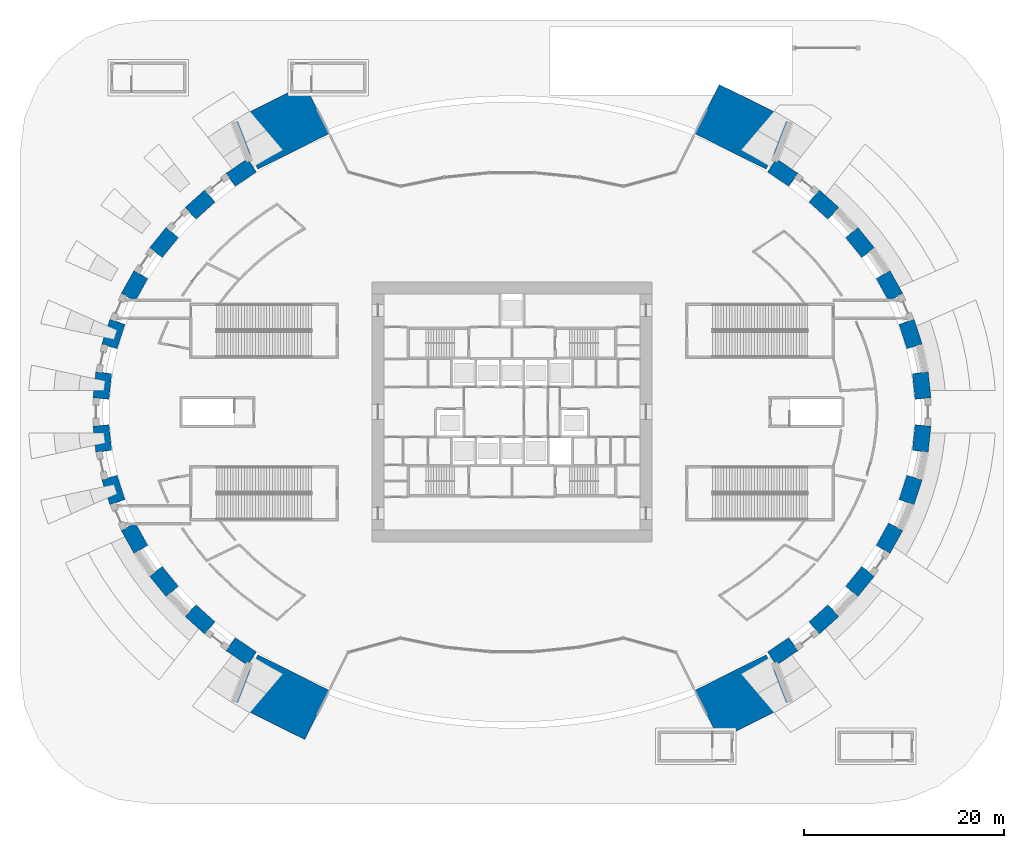
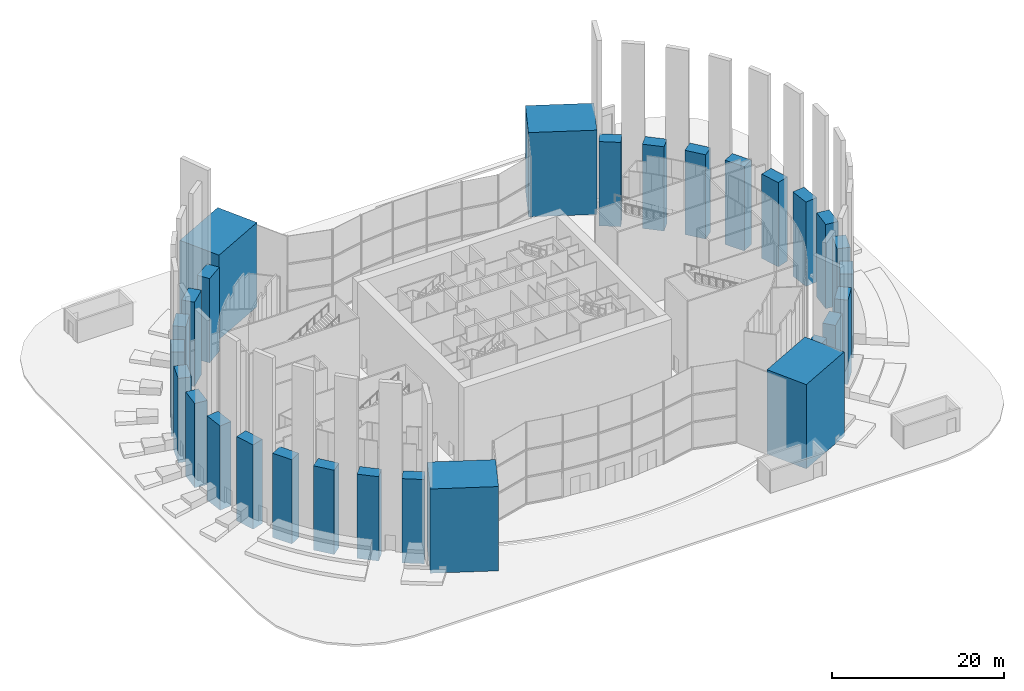
# One storey, part 1 of 25: 28 columns.
"""IFC4 building model written with IfcOpenShell, lengths in metres."""

from ifc_helpers import new_model, si_unit, direction, frame, origin, origin_2d, place, context, subcontext, project, spatial, rectangle, extrude, source, transform, mapped, material, material_profile, profile_set, type_object, element, save


model = new_model("IFC4")

# Units and contexts
model_context = context("Model", 3, precision=1e-05, world=origin(), true_north=direction((0.0, 1.0)))
body_context = subcontext(model_context, "Body", "Model", "MODEL_VIEW")
ifc_project = project(units=[si_unit("LENGTHUNIT", "METRE"), si_unit("AREAUNIT", "SQUARE_METRE"), si_unit("VOLUMEUNIT", "CUBIC_METRE"), si_unit("PLANEANGLEUNIT", "RADIAN"), si_unit("MASSUNIT", "GRAM", prefix="KILO")], contexts=[model_context])

# Site, building, storey
site_placement = place(None, origin())
site = spatial("IfcSite", under=ifc_project, at=site_placement, CompositionType="ELEMENT")
building_placement = place(site_placement, origin())
building = spatial("IfcBuilding", under=site, at=building_placement, Name="Embergate Tower", CompositionType="ELEMENT")
storey_placement = place(building_placement, origin())
storey = spatial("IfcBuildingStorey", under=building, at=storey_placement, Name="L00", CompositionType="ELEMENT", Elevation=0.0)

# Columns
ifc_material = material(Name="Concrete C70", Category="concrete")
ifc_material_profile_1 = material_profile(ifc_material, rectangle(XDim=1.60009765625, YDim=2.60009765625, at=origin_2d()), Name="RC 1600x2600")
ifc_profile_set_1 = profile_set([ifc_material_profile_1], Name="Concrete C70")
column_type_1 = type_object("IfcColumnType", Name="Ring column RC 1600x2600 C70", PredefinedType="COLUMN", material=ifc_profile_set_1)
shared_shape_1 = source(origin(), body_context, "Body", "SweptSolid", [
    extrude(rectangle(XDim=1.60009765625, YDim=2.60009765625, at=origin_2d()), origin(), (0.0, 0.0, 1.0), 12.0),
])
for number, where, z_axis, x_axis, name in (
    (1, (40.958984375, 2.636962890625, -1.5), (0.0, 0.0, 1.0), (0.99428589498, 0.106749983816, 0.0), "COL-L00-00"),
    (2, (39.85009765625, 7.7880859375, -1.5), (0.0, 0.0, 1.0), (0.950754033697, 0.309946394413, 0.0), "COL-L00-01"),
    (3, (37.738037109375, 12.60498046875, -1.5), (0.0, 0.0, 1.0), (0.873491969053, 0.486838556403, 0.0), "COL-L00-02"),
    (4, (34.7890625, 16.94189453125, -1.5), (0.0, 0.0, 1.0), (0.775925311702, 0.630824786022, 0.0), "COL-L00-03"),
    (5, (31.178955078125, 20.72802734375, -1.5), (0.0, 0.0, 1.0), (0.669208424634, 0.74307475021, 0.0), "COL-L00-04"),
    (6, (27.06494140625, 23.93896484375, -1.5), (0.0, 0.0, 1.0), (0.560393279442, 0.828226643109, 0.0), "COL-L00-05"),
    (7, (-27.06494140625, 23.93896484375, -1.5), (0.0, 0.0, 1.0), (-0.560393279442, 0.828226643109, 0.0), "COL-L00-16"),
    (8, (-31.178955078125, 20.72802734375, -1.5), (0.0, 0.0, 1.0), (-0.669208424634, 0.74307475021, 0.0), "COL-L00-17"),
    (9, (-34.7890625, 16.94189453125, -1.5), (0.0, 0.0, 1.0), (-0.775925311702, 0.630824786022, 0.0), "COL-L00-18"),
    (10, (-37.738037109375, 12.60498046875, -1.5), (0.0, 0.0, 1.0), (-0.873491969053, 0.486838556403, 0.0), "COL-L00-19"),
    (11, (-39.85009765625, 7.7880859375, -1.5), (0.0, 0.0, 1.0), (-0.950754033697, 0.309946394413, 0.0), "COL-L00-20"),
    (12, (-40.958984375, 2.636962890625, -1.5), (0.0, 0.0, 1.0), (-0.99428589498, 0.106749983816, 0.0), "COL-L00-21"),
    (13, (-40.958984375, -2.636962890625, -1.5), (0.0, 0.0, 1.0), (-0.99428589498, -0.106749983816, 0.0), "COL-L00-22"),
    (14, (-39.85009765625, -7.7880859375, -1.5), (0.0, 0.0, 1.0), (-0.950754033697, -0.309946394413, 0.0), "COL-L00-23"),
    (15, (-37.738037109375, -12.60498046875, -1.5), (0.0, 0.0, 1.0), (-0.873491969053, -0.486838556403, 0.0), "COL-L00-24"),
    (16, (-34.7890625, -16.94189453125, -1.5), (0.0, 0.0, 1.0), (-0.775925311702, -0.630824786022, 0.0), "COL-L00-25"),
    (17, (-31.178955078125, -20.72802734375, -1.5), (0.0, 0.0, 1.0), (-0.669208424634, -0.74307475021, 0.0), "COL-L00-26"),
    (18, (-27.06494140625, -23.93896484375, -1.5), (0.0, 0.0, 1.0), (-0.560393279442, -0.828226643109, 0.0), "COL-L00-27"),
    (19, (27.06494140625, -23.93896484375, -1.5), (0.0, 0.0, 1.0), (0.560393279442, -0.828226643109, 0.0), "COL-L00-38"),
    (20, (31.178955078125, -20.72802734375, -1.5), (0.0, 0.0, 1.0), (0.669208424634, -0.74307475021, 0.0), "COL-L00-39"),
    (21, (34.7890625, -16.94189453125, -1.5), (0.0, 0.0, 1.0), (0.775925311702, -0.630824786022, 0.0), "COL-L00-40"),
    (22, (37.738037109375, -12.60498046875, -1.5), (0.0, 0.0, 1.0), (0.873491969053, -0.486838556403, 0.0), "COL-L00-41"),
    (23, (39.85009765625, -7.7880859375, -1.5), (0.0, 0.0, 1.0), (0.950754033697, -0.309946394413, 0.0), "COL-L00-42"),
    (24, (40.958984375, -2.636962890625, -1.5), (0.0, 0.0, 1.0), (0.99428589498, -0.106749983816, 0.0), "COL-L00-43"),
):
    element("IfcColumn", number, at=place(storey_placement, frame(where, z_axis=z_axis, x_axis=x_axis)), inside=storey, type_object=column_type_1, Name=name, PredefinedType="COLUMN", context=body_context, shape_type="MappedRepresentation", body=[
        mapped(shared_shape_1, transform((0.0, 0.0, 0.0))),
    ])
ifc_material_profile_2 = material_profile(ifc_material, rectangle(XDim=5.5, YDim=8.0, at=origin_2d()), Name="RC 5500x8000")
ifc_profile_set_2 = profile_set([ifc_material_profile_2], Name="Concrete C70")
column_type_2 = type_object("IfcColumnType", Name="Abutment pier RC 5500x8000", PredefinedType="COLUMN", material=ifc_profile_set_2)
shared_shape_2 = source(origin(), body_context, "Body", "SweptSolid", [
    extrude(rectangle(XDim=5.5, YDim=8.0, at=origin_2d()), origin(), (0.0, 0.0, 1.0), 12.0),
])
for number, where, z_axis, x_axis, name in (
    (25, (23.076904296875, 28.509033203125, 0.0), (0.0, 0.0, 1.0), (0.444697710579, 0.895680716665, 0.0), "PIER-L00-06"),
    (26, (-23.076904296875, 28.509033203125, 0.0), (0.0, 0.0, 1.0), (-0.444697710579, 0.895680716665, 0.0), "PIER-L00-15"),
    (27, (-23.076904296875, -28.509033203125, 0.0), (0.0, 0.0, 1.0), (-0.444697710579, -0.895680716665, 0.0), "PIER-L00-28"),
    (28, (23.076904296875, -28.509033203125, 0.0), (0.0, 0.0, 1.0), (0.444697710579, -0.895680716665, 0.0), "PIER-L00-37"),
):
    element("IfcColumn", number, at=place(storey_placement, frame(where, z_axis=z_axis, x_axis=x_axis)), inside=storey, type_object=column_type_2, Name=name, PredefinedType="COLUMN", context=body_context, shape_type="MappedRepresentation", body=[
        mapped(shared_shape_2, transform((0.0, 0.0, 0.0))),
    ])

save(model, "model.ifc")
